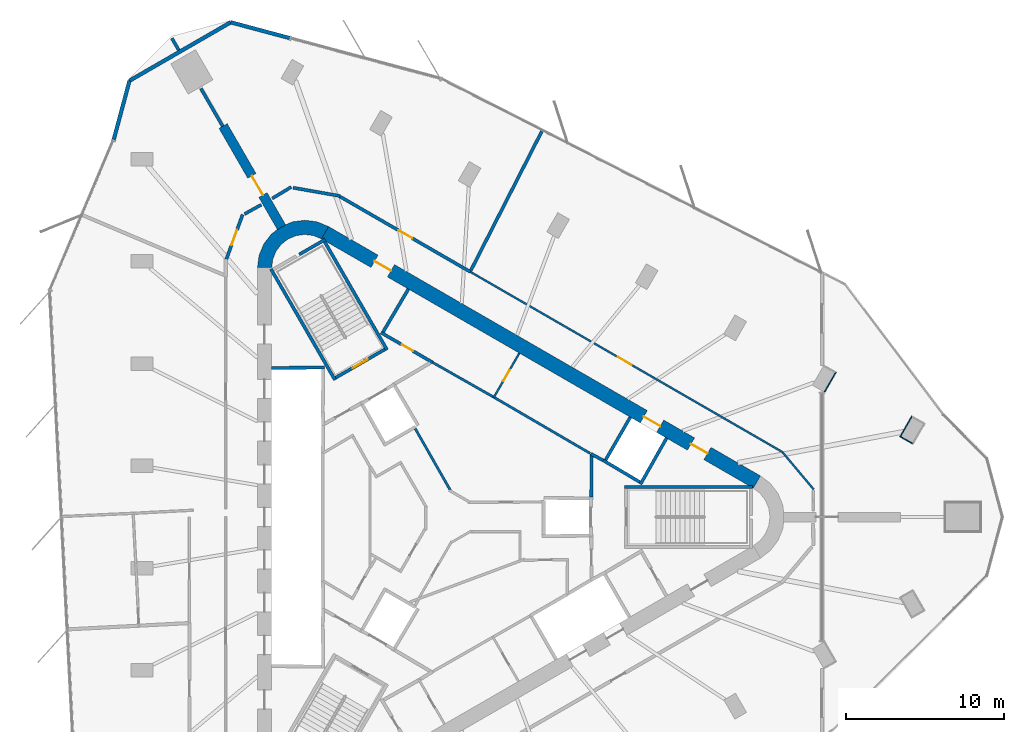
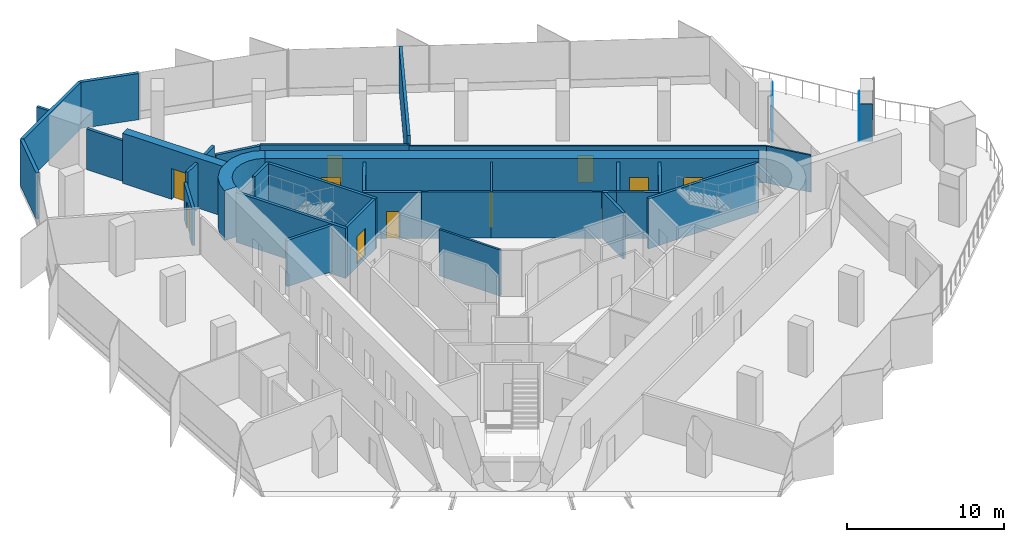
# One storey, part 10 of 12: 36 walls, 10 doors, 10 openings.
"""IFC4 building model written with IfcOpenShell, lengths in metres."""

from ifc_helpers import new_model, si_unit, direction, frame, frame_2d, origin, place, context, subcontext, project, spatial, polyline, rectangle, outline, extrude, material, layer, layer_set, type_object, element, fill, save


model = new_model("IFC4")

# Units and contexts
model_context = context("Model", 3, precision=1e-05, world=origin(), true_north=direction((0.0, 1.0)))
body_context = subcontext(model_context, "Body", "Model", "MODEL_VIEW")
ifc_project = project(units=[si_unit("LENGTHUNIT", "METRE"), si_unit("AREAUNIT", "SQUARE_METRE"), si_unit("VOLUMEUNIT", "CUBIC_METRE"), si_unit("PLANEANGLEUNIT", "RADIAN"), si_unit("MASSUNIT", "GRAM", prefix="KILO")], contexts=[model_context])

# Site, building, storey
site_placement = place(None, origin())
site = spatial("IfcSite", under=ifc_project, at=site_placement, CompositionType="ELEMENT")
building_placement = place(site_placement, origin())
building = spatial("IfcBuilding", under=site, at=building_placement, Name="Tanit Gate Tower", CompositionType="ELEMENT")
storey_placement = place(building_placement, frame((0.0, 0.0, 361.10009765625)))
storey = spatial("IfcBuildingStorey", under=building, at=storey_placement, Name="L82", CompositionType="ELEMENT", Elevation=361.10009765625)

# Wall, opening, door
ifc_material_1 = material(Name="Concrete C40/50", Category="concrete")
ifc_layer_1 = layer(ifc_material_1, 0.60009765625)
ifc_layer_set_1 = layer_set([ifc_layer_1], Name="BUTTRESS FIN 600 C40/50")
wall_type_1 = type_object("IfcWallType", Name="BUTTRESS FIN 600 C40/50", PredefinedType="SHEAR", material=ifc_layer_set_1)
wall_1_placement = place(storey_placement, frame((-10.574951171875, 18.31640625, 0.0), z_axis=(0.0, 0.0, 1.0), x_axis=(-0.500009454961, 0.866019944892, 0.0)))
wall_1 = element("IfcWall", 1, at=wall_1_placement, inside=storey, type_object=wall_type_1, Name="BUTTRESS FIN", PredefinedType="SHEAR", context=body_context, shape_type="SweptSolid", body=[
    extrude(rectangle(XDim=7.387939453125, YDim=0.60009765625, at=frame_2d((3.69384765625, 0.0))), origin(), (0.0, 0.0, 1.0), 3.89990234375),
])
opening_1_placement = place(wall_1_placement, frame((2.35009765625, 0.0, 0.0)))
opening_1 = element("IfcOpeningElement", 2, at=opening_1_placement, cuts=wall_1, Name="Opening P14-82-F-NW-1", PredefinedType="OPENING", context=body_context, shape_type="SweptSolid", body=[
    extrude(rectangle(XDim=1.39990234375, YDim=2.39990234375, at=frame_2d((0.699951171875, 1.199951171875))), frame((0.0, 0.31005859375, 0.0), z_axis=(0.0, -1.0, 0.0), x_axis=(1.0, 0.0, 0.0)), (0.0, 0.0, 1.0), 0.6201171875),
])
ifc_material_2 = material(Name="Timber door leaf", Category="wood")
door_type_1 = type_object("IfcDoorType", Name="INT-DOOR-FIN-PAIR-1400", OperationType="NOTDEFINED", PredefinedType="NOTDEFINED", material=ifc_material_2)
door_1_placement = place(opening_1_placement, origin())
door_1 = element("IfcDoor", 3, at=door_1_placement, inside=storey, type_object=door_type_1, Name="Door P14-82-F-NW-1", OperationType="DOUBLE_DOOR_SINGLE_SWING", OverallHeight=2.39990234375, OverallWidth=1.39990234375, PredefinedType="NOTDEFINED", context=body_context, shape_type="SweptSolid", body=[
    extrude(rectangle(XDim=1.39990234375, YDim=2.39990234375, at=frame_2d((0.699951171875, 1.199951171875))), frame((0.0, 0.02490234375, 0.0), z_axis=(0.0, -1.0, 0.0), x_axis=(1.0, 0.0, 0.0)), (0.0, 0.0, 1.0), 0.050048828125),
])
fill(opening_1, door_1)

# Wall, openings, doors
ifc_material_3 = material(Name="Concrete C40/50", Category="concrete")
ifc_layer_2 = layer(ifc_material_3, 0.89990234375)
ifc_layer_set_2 = layer_set([ifc_layer_2], Name="CORE WALL 900 C40/50")
wall_type_2 = type_object("IfcWallType", Name="CORE WALL 900 C40/50", PredefinedType="SHEAR", material=ifc_layer_set_2)
wall_2_placement = place(storey_placement, frame((19.47509765625, 2.20849609375, 0.0), z_axis=(0.0, 0.0, 1.0), x_axis=(-0.866028369851, 0.499994862586, 0.0)))
wall_2 = element("IfcWall", 4, at=wall_2_placement, inside=storey, type_object=wall_type_2, Name="CORE WALL", PredefinedType="SHEAR", context=body_context, shape_type="SweptSolid", body=[
    extrude(rectangle(XDim=31.523193359375, YDim=0.89990234375, at=frame_2d((15.76171875, 0.0))), origin(), (0.0, 0.0, 1.0), 3.89990234375),
])
opening_2_placement = place(wall_2_placement, frame((7.0615234375, 0.0, 0.0)))
opening_2 = element("IfcOpeningElement", 5, at=opening_2_placement, cuts=wall_2, Name="Opening LDHL8-82", PredefinedType="OPENING", context=body_context, shape_type="SweptSolid", body=[
    extrude(rectangle(XDim=1.199951171875, YDim=2.39990234375, at=frame_2d((0.60009765625, 1.199951171875))), frame((0.0, 0.4599609375, 0.0), z_axis=(0.0, -1.0, 0.0), x_axis=(1.0, 0.0, 0.0)), (0.0, 0.0, 1.0), 0.919921875),
])
opening_3_placement = place(wall_2_placement, frame((3.611572265625, 0.0, 0.0)))
opening_3 = element("IfcOpeningElement", 6, at=opening_3_placement, cuts=wall_2, Name="Opening F12-82-FL1", PredefinedType="OPENING", context=body_context, shape_type="SweptSolid", body=[
    extrude(rectangle(XDim=1.199951171875, YDim=2.39990234375, at=frame_2d((0.60009765625, 1.199951171875))), frame((0.0, 0.4599609375, 0.0), z_axis=(0.0, -1.0, 0.0), x_axis=(1.0, 0.0, 0.0)), (0.0, 0.0, 1.0), 0.919921875),
])
opening_4_placement = place(wall_2_placement, frame((26.711669921875, 0.0, 0.0)))
opening_4 = element("IfcOpeningElement", 7, at=opening_4_placement, cuts=wall_2, Name="Opening F12-82-S2", PredefinedType="OPENING", context=body_context, shape_type="SweptSolid", body=[
    extrude(rectangle(XDim=1.199951171875, YDim=2.39990234375, at=frame_2d((0.60009765625, 1.199951171875))), frame((0.0, 0.4599609375, 0.0), z_axis=(0.0, -1.0, 0.0), x_axis=(1.0, 0.0, 0.0)), (0.0, 0.0, 1.0), 0.919921875),
])
ifc_material_4 = material(Name="Fire-rated steel door leaf", Category="steel")
door_type_2 = type_object("IfcDoorType", Name="INT-DOOR-FIRE-LOBBY-1200", OperationType="NOTDEFINED", PredefinedType="USERDEFINED", material=ifc_material_4)
door_2_placement = place(opening_3_placement, origin())
door_2 = element("IfcDoor", 8, at=door_2_placement, inside=storey, type_object=door_type_2, Name="Door F12-82-FL1", ObjectType="FIRE DOOR", OperationType="SINGLE_SWING_RIGHT", OverallHeight=2.39990234375, OverallWidth=1.199951171875, PredefinedType="USERDEFINED", context=body_context, shape_type="SweptSolid", body=[
    extrude(rectangle(XDim=1.199951171875, YDim=2.39990234375, at=frame_2d((0.60009765625, 1.199951171875))), frame((0.0, 0.02490234375, 0.0), z_axis=(0.0, -1.0, 0.0), x_axis=(1.0, 0.0, 0.0)), (0.0, 0.0, 1.0), 0.050048828125),
])
fill(opening_3, door_2)
door_3_placement = place(opening_4_placement, origin())
door_3 = element("IfcDoor", 9, at=door_3_placement, inside=storey, type_object=door_type_2, Name="Door F12-82-S2", ObjectType="FIRE DOOR", OperationType="SINGLE_SWING_LEFT", OverallHeight=2.39990234375, OverallWidth=1.199951171875, PredefinedType="USERDEFINED", context=body_context, shape_type="SweptSolid", body=[
    extrude(rectangle(XDim=1.199951171875, YDim=2.39990234375, at=frame_2d((0.60009765625, 1.199951171875))), frame((0.0, 0.02490234375, 0.0), z_axis=(0.0, -1.0, 0.0), x_axis=(1.0, 0.0, 0.0)), (0.0, 0.0, 1.0), 0.050048828125),
])
fill(opening_4, door_3)
ifc_material_5 = material(Name="Stainless steel sliding door leaf", Category="steel")
door_type_3 = type_object("IfcDoorType", Name="INT-DOOR-LANDING-1200", OperationType="NOTDEFINED", PredefinedType="USERDEFINED", material=ifc_material_5)
door_4_placement = place(opening_2_placement, origin())
door_4 = element("IfcDoor", 10, at=door_4_placement, inside=storey, type_object=door_type_3, Name="Door LDHL8-82", ObjectType="LANDING DOOR", OperationType="SLIDING_TO_LEFT", OverallHeight=2.39990234375, OverallWidth=1.199951171875, PredefinedType="USERDEFINED", context=body_context, shape_type="SweptSolid", body=[
    extrude(rectangle(XDim=1.199951171875, YDim=2.39990234375, at=frame_2d((0.60009765625, 1.199951171875))), frame((0.0, 0.02490234375, 0.0), z_axis=(0.0, -1.0, 0.0), x_axis=(1.0, 0.0, 0.0)), (0.0, 0.0, 1.0), 0.050048828125),
])
fill(opening_2, door_4)

# Walls
wall_3_placement = place(storey_placement, origin())
element("IfcWall", 11, at=wall_3_placement, inside=storey, type_object=wall_type_2, Name="CORE WALL CORNER", PredefinedType="SHEAR", context=body_context, shape_type="SweptSolid", body=[
    extrude(outline(polyline([(-7.60009765625, 18.359619140625), (-8.323486328125, 18.659423828125), (-9.10009765625, 18.76171875), (-9.87646484375, 18.659423828125), (-10.60009765625, 18.359619140625), (-11.22119140625, 17.883056640625), (-11.697998046875, 17.26171875), (-11.997802734375, 16.5380859375), (-12.10009765625, 15.76171875), (-11.199951171875, 15.76171875), (-11.12841796875, 16.30517578125), (-10.918701171875, 16.811767578125), (-10.5849609375, 17.24658203125), (-10.14990234375, 17.580322265625), (-9.6435546875, 17.7900390625), (-9.10009765625, 17.86181640625), (-8.556396484375, 17.7900390625), (-8.050048828125, 17.580322265625), (-7.60009765625, 18.359619140625)])), origin(), (0.0, 0.0, 1.0), 3.89990234375),
])
ifc_material_6 = material(Name="Bronze anodised aluminium cladding", Category="aluminium")
ifc_layer_3 = layer(ifc_material_6, 0.06005859375)
ifc_layer_set_3 = layer_set([ifc_layer_3], Name="Column casing bronze 60")
wall_type_3 = type_object("IfcWallType", Name="Column casing bronze 60", PredefinedType="SOLIDWALL", material=ifc_layer_set_3)
wall_4_placement = place(storey_placement, frame((28.521484375, 5.0634765625, 0.0), z_axis=(0.0, 0.0, 1.0), x_axis=(0.499991248344, 0.866030456496, 0.0)))
element("IfcWall", 12, at=wall_4_placement, inside=storey, type_object=wall_type_3, Name="Column casing L82 P-NE1.L1", PredefinedType="SOLIDWALL", context=body_context, shape_type="SweptSolid", body=[
    extrude(rectangle(XDim=1.52001953125, YDim=0.06005859375, at=frame_2d((0.760009765625, 0.0))), origin(), (0.0, 0.0, 1.0), 2.909912109375),
])
wall_5_placement = place(storey_placement, frame((29.298583984375, 4.6494140625, 0.0), z_axis=(0.0, 0.0, 1.0), x_axis=(-0.865989465428, 0.500062241894, 0.0)))
element("IfcWall", 13, at=wall_5_placement, inside=storey, type_object=wall_type_3, Name="Column casing L82 P-NE1.S2", PredefinedType="SOLIDWALL", context=body_context, shape_type="SweptSolid", body=[
    extrude(rectangle(XDim=0.85009765625, YDim=0.06005859375, at=frame_2d((0.425048828125, 0.0))), origin(), (0.0, 0.0, 1.0), 2.909912109375),
])
wall_6_placement = place(storey_placement, frame((23.711669921875, 7.84033203125, 0.0), z_axis=(0.0, 0.0, 1.0), x_axis=(0.499991248344, 0.866030456496, 0.0)))
element("IfcWall", 14, at=wall_6_placement, inside=storey, type_object=wall_type_3, Name="Column casing L82 P-NE2.L2", PredefinedType="SOLIDWALL", context=body_context, shape_type="SweptSolid", body=[
    extrude(rectangle(XDim=1.52001953125, YDim=0.06005859375, at=frame_2d((0.760009765625, 0.0))), origin(), (0.0, 0.0, 1.0), 3.599853515625),
])
ifc_material_7 = material(Name="Concrete C30/37 with bronze anodised aluminium cladding", Category="concrete")
ifc_layer_4 = layer(ifc_material_7, 0.239990234375)
ifc_layer_set_4 = layer_set([ifc_layer_4], Name="Facade wall bronze clad 240")
wall_type_4 = type_object("IfcWallType", Name="Facade wall bronze clad 240", PredefinedType="SOLIDWALL", material=ifc_layer_set_4)
wall_7_placement = place(storey_placement, frame((-10.056640625, 30.274169921875, 0.0), z_axis=(0.0, 0.0, 1.0), x_axis=(-0.965920386927, 0.258839344225, 0.0)))
element("IfcWall", 15, at=wall_7_placement, inside=storey, type_object=wall_type_4, Name="Bronze-clad facade wall L82 NW.arc1", PredefinedType="SOLIDWALL", context=body_context, shape_type="SweptSolid", body=[
    extrude(rectangle(XDim=3.860595703125, YDim=0.239990234375, at=frame_2d((1.93017578125, 0.0))), origin(), (0.0, 0.0, 1.0), 3.599853515625),
])
wall_8_placement = place(storey_placement, frame((-13.78564453125, 31.2734375, 0.0), z_axis=(0.0, 0.0, 1.0), x_axis=(-0.866022320763, -0.500005339912, 0.0)))
element("IfcWall", 16, at=wall_8_placement, inside=storey, type_object=wall_type_4, Name="Bronze-clad facade wall L82 NW.arc2", PredefinedType="SOLIDWALL", context=body_context, shape_type="SweptSolid", body=[
    extrude(rectangle(XDim=7.39599609375, YDim=0.239990234375, at=frame_2d((3.697998046875, 0.0))), origin(), (0.0, 0.0, 1.0), 3.599853515625),
])
wall_9_placement = place(storey_placement, frame((-20.190673828125, 27.575439453125, 0.0), z_axis=(0.0, 0.0, 1.0), x_axis=(-0.258848583704, -0.965917910961, 0.0)))
element("IfcWall", 17, at=wall_9_placement, inside=storey, type_object=wall_type_4, Name="Bronze-clad facade wall L82 NW.arc3", PredefinedType="SOLIDWALL", context=body_context, shape_type="SweptSolid", body=[
    extrude(rectangle(XDim=3.868896484375, YDim=0.239990234375, at=frame_2d((1.9345703125, 0.0))), origin(), (0.0, 0.0, 1.0), 3.599853515625),
])
ifc_material_8 = material(Name="Fire-rated gypsum board partition")
ifc_layer_5 = layer(ifc_material_8, 0.199951171875)
ifc_layer_set_5 = layer_set([ifc_layer_5], Name="INT-WALL-COMPARTMENT")
wall_type_5 = type_object("IfcWallType", Name="INT-WALL-COMPARTMENT", PredefinedType="PARTITIONING", material=ifc_layer_set_5)
wall_10_placement = place(storey_placement, frame((8.97412109375, 3.998779296875, 0.0), z_axis=(0.0, 0.0, 1.0), x_axis=(0.880917147855, -0.473270513147, 0.0)))
element("IfcWall", 18, at=wall_10_placement, inside=storey, type_object=wall_type_5, Name="Wall Compartment W048", PredefinedType="PARTITIONING", context=body_context, shape_type="SweptSolid", body=[
    extrude(rectangle(XDim=0.8779296875, YDim=0.199951171875, at=frame_2d((0.43896484375, 0.0))), origin(), (0.0, 0.0, 1.0), 3.599853515625),
])

# Wall, opening, door
wall_11_placement = place(storey_placement, frame((-4.295654296875, 11.659912109375, 0.0), z_axis=(0.0, 0.0, 1.0), x_axis=(0.866027389382, -0.499996560828, 0.0)))
wall_11 = element("IfcWall", 19, at=wall_11_placement, inside=storey, type_object=wall_type_5, Name="Wall Compartment W050", PredefinedType="PARTITIONING", context=body_context, shape_type="SweptSolid", body=[
    extrude(rectangle(XDim=3.77783203125, YDim=0.199951171875, at=frame_2d((1.888916015625, 0.0))), origin(), (0.0, 0.0, 1.0), 3.599853515625),
])
opening_5_placement = place(wall_11_placement, frame((1.538818359375, 0.0, 0.0)))
opening_5 = element("IfcOpeningElement", 20, at=opening_5_placement, cuts=wall_11, Name="Opening R08-82-16", PredefinedType="OPENING", context=body_context, shape_type="SweptSolid", body=[
    extrude(rectangle(XDim=0.800048828125, YDim=2.10009765625, at=frame_2d((0.39990234375, 1.050048828125))), frame((0.0, 0.10986328125, 0.0), z_axis=(0.0, -1.0, 0.0), x_axis=(1.0, 0.0, 0.0)), (0.0, 0.0, 1.0), 0.219970703125),
])
ifc_material_9 = material(Name="Timber door leaf", Category="wood")
door_type_4 = type_object("IfcDoorType", Name="INT-DOOR-RISER-800", OperationType="NOTDEFINED", PredefinedType="USERDEFINED", material=ifc_material_9)
door_5_placement = place(opening_5_placement, origin())
door_5 = element("IfcDoor", 21, at=door_5_placement, inside=storey, type_object=door_type_4, Name="Door R08-82-16", ObjectType="FIRE DOOR", OperationType="SINGLE_SWING_LEFT", OverallHeight=2.10009765625, OverallWidth=0.800048828125, PredefinedType="USERDEFINED", context=body_context, shape_type="SweptSolid", body=[
    extrude(rectangle(XDim=0.800048828125, YDim=2.10009765625, at=frame_2d((0.39990234375, 1.050048828125))), frame((0.0, 0.02490234375, 0.0), z_axis=(0.0, -1.0, 0.0), x_axis=(1.0, 0.0, 0.0)), (0.0, 0.0, 1.0), 0.050048828125),
])
fill(opening_5, door_5)

# Walls
wall_12_placement = place(storey_placement, frame((-2.557861328125, 14.409423828125, 0.0), z_axis=(0.0, 0.0, 1.0), x_axis=(-0.508018930956, -0.861345903683, 0.0)))
element("IfcWall", 22, at=wall_12_placement, inside=storey, type_object=wall_type_5, Name="Wall Compartment W051", PredefinedType="PARTITIONING", context=body_context, shape_type="SweptSolid", body=[
    extrude(rectangle(XDim=3.150146484375, YDim=0.199951171875, at=frame_2d((1.5751953125, 0.0))), origin(), (0.0, 0.0, 1.0), 3.599853515625),
])
wall_13_placement = place(storey_placement, frame((9.0009765625, 1.27001953125, 0.0), z_axis=(0.0, 0.0, 1.0), x_axis=(0.010747252091, 0.999942246619, 0.0)))
element("IfcWall", 23, at=wall_13_placement, inside=storey, type_object=wall_type_5, Name="Wall Compartment W062", PredefinedType="PARTITIONING", context=body_context, shape_type="SweptSolid", body=[
    extrude(rectangle(XDim=2.72607421875, YDim=0.199951171875, at=frame_2d((1.363037109375, 0.0))), origin(), (0.0, 0.0, 1.0), 3.599853515625),
])

# Wall, opening, door
wall_14_placement = place(storey_placement, frame((-13.037841796875, 19.11181640625, 0.0), z_axis=(0.0, 0.0, 1.0), x_axis=(-0.342062629946, -0.939677155833, 0.0)))
wall_14 = element("IfcWall", 24, at=wall_14_placement, inside=storey, type_object=wall_type_5, Name="Wall Compartment W093", PredefinedType="PARTITIONING", context=body_context, shape_type="SweptSolid", body=[
    extrude(rectangle(XDim=3.005615234375, YDim=0.199951171875, at=frame_2d((1.5029296875, 0.0))), origin(), (0.0, 0.0, 1.0), 2.8798828125),
])
opening_6_placement = place(wall_14_placement, frame((1.037353515625, 0.0, 0.0)))
opening_6 = element("IfcOpeningElement", 25, at=opening_6_placement, cuts=wall_14, Name="Opening F10-82-21", PredefinedType="OPENING", context=body_context, shape_type="SweptSolid", body=[
    extrude(rectangle(XDim=1.0, YDim=2.10009765625, at=frame_2d((0.5, 1.050048828125))), frame((0.0, 0.10986328125, 0.0), z_axis=(0.0, -1.0, 0.0), x_axis=(1.0, 0.0, 0.0)), (0.0, 0.0, 1.0), 0.219970703125),
])
ifc_material_10 = material(Name="Fire-rated steel door leaf", Category="steel")
door_type_5 = type_object("IfcDoorType", Name="INT-DOOR-FIRE-1000", OperationType="NOTDEFINED", PredefinedType="USERDEFINED", material=ifc_material_10)
door_6_placement = place(opening_6_placement, origin())
door_6 = element("IfcDoor", 26, at=door_6_placement, inside=storey, type_object=door_type_5, Name="Door F10-82-21", ObjectType="FIRE DOOR", OperationType="SINGLE_SWING_RIGHT", OverallHeight=2.10009765625, OverallWidth=1.0, PredefinedType="USERDEFINED", context=body_context, shape_type="SweptSolid", body=[
    extrude(rectangle(XDim=1.0, YDim=2.10009765625, at=frame_2d((0.5, 1.050048828125))), frame((0.0, 0.02490234375, 0.0), z_axis=(0.0, -1.0, 0.0), x_axis=(1.0, 0.0, 0.0)), (0.0, 0.0, 1.0), 0.050048828125),
])
fill(opening_6, door_6)

# Walls
wall_15_placement = place(storey_placement, frame((-11.85791015625, 19.738525390625, 0.0), z_axis=(0.0, 0.0, 1.0), x_axis=(-0.874375812865, -0.48524935639, 0.0)))
element("IfcWall", 27, at=wall_15_placement, inside=storey, type_object=wall_type_5, Name="Wall Compartment W094", PredefinedType="PARTITIONING", context=body_context, shape_type="SweptSolid", body=[
    extrude(rectangle(XDim=1.21142578125, YDim=0.199951171875, at=frame_2d((0.605712890625, 0.0))), origin(), (0.0, 0.0, 1.0), 3.599853515625),
])
wall_16_placement = place(storey_placement, frame((-17.505615234375, 30.260498046875, 0.0), z_axis=(0.0, 0.0, 1.0), x_axis=(0.500065409566, -0.86598763626, 0.0)))
element("IfcWall", 28, at=wall_16_placement, inside=storey, type_object=wall_type_5, Name="Wall Compartment W103", PredefinedType="PARTITIONING", context=body_context, shape_type="SweptSolid", body=[
    extrude(rectangle(XDim=0.86279296875, YDim=0.199951171875, at=frame_2d((0.431396484375, 0.0))), origin(), (0.0, 0.0, 1.0), 3.599853515625),
])
wall_17_placement = place(storey_placement, frame((-15.671630859375, 27.084228515625, 0.0), z_axis=(0.0, 0.0, 1.0), x_axis=(0.49996293259, -0.866046803606, 0.0)))
element("IfcWall", 29, at=wall_17_placement, inside=storey, type_object=wall_type_5, Name="Wall Compartment W104", PredefinedType="PARTITIONING", context=body_context, shape_type="SweptSolid", body=[
    extrude(rectangle(XDim=2.753662109375, YDim=0.199951171875, at=frame_2d((1.376953125, 0.0))), origin(), (0.0, 0.0, 1.0), 3.169921875),
])
wall_18_placement = place(storey_placement, frame((-9.963623046875, 20.85986328125, 0.0), z_axis=(0.0, 0.0, 1.0), x_axis=(-0.857308408435, -0.514803159302, 0.0)))
element("IfcWall", 30, at=wall_18_placement, inside=storey, type_object=wall_type_5, Name="Wall Compartment W115", PredefinedType="PARTITIONING", context=body_context, shape_type="SweptSolid", body=[
    extrude(rectangle(XDim=1.4013671875, YDim=0.199951171875, at=frame_2d((0.70068359375, 0.0))), origin(), (0.0, 0.0, 1.0), 3.599853515625),
])
wall_19_placement = place(storey_placement, frame((-6.875732421875, 20.29052734375, 0.0), z_axis=(0.0, 0.0, 1.0), x_axis=(-0.984819400126, 0.173582110644, 0.0)))
element("IfcWall", 31, at=wall_19_placement, inside=storey, type_object=wall_type_5, Name="Wall Compartment W116", PredefinedType="PARTITIONING", context=body_context, shape_type="SweptSolid", body=[
    extrude(rectangle(XDim=3.015625, YDim=0.199951171875, at=frame_2d((1.5078125, 0.0))), origin(), (0.0, 0.0, 1.0), 2.8798828125),
])

# Wall, opening, door
wall_20_placement = place(storey_placement, frame((1.367431640625, 15.49169921875, 0.0), z_axis=(0.0, 0.0, 1.0), x_axis=(-0.866018386667, 0.500012153807, 0.0)))
wall_20 = element("IfcWall", 32, at=wall_20_placement, inside=storey, type_object=wall_type_5, Name="Wall Compartment W117", PredefinedType="PARTITIONING", context=body_context, shape_type="SweptSolid", body=[
    extrude(rectangle(XDim=9.531982421875, YDim=0.199951171875, at=frame_2d((4.76611328125, 0.0))), origin(), (0.0, 0.0, 1.0), 2.969970703125),
])
opening_7_placement = place(wall_20_placement, frame((4.254150390625, 0.0, 0.0)))
opening_7 = element("IfcOpeningElement", 33, at=opening_7_placement, cuts=wall_20, Name="Opening F10-82-26", PredefinedType="OPENING", context=body_context, shape_type="SweptSolid", body=[
    extrude(rectangle(XDim=1.0, YDim=2.10009765625, at=frame_2d((0.5, 1.050048828125))), frame((0.0, 0.10986328125, 0.0), z_axis=(0.0, -1.0, 0.0), x_axis=(1.0, 0.0, 0.0)), (0.0, 0.0, 1.0), 0.219970703125),
])
door_7_placement = place(opening_7_placement, origin())
door_7 = element("IfcDoor", 34, at=door_7_placement, inside=storey, type_object=door_type_5, Name="Door F10-82-26", ObjectType="FIRE DOOR", OperationType="SINGLE_SWING_RIGHT", OverallHeight=2.10009765625, OverallWidth=1.0, PredefinedType="USERDEFINED", context=body_context, shape_type="SweptSolid", body=[
    extrude(rectangle(XDim=1.0, YDim=2.10009765625, at=frame_2d((0.5, 1.050048828125))), frame((0.0, 0.02490234375, 0.0), z_axis=(0.0, -1.0, 0.0), x_axis=(1.0, 0.0, 0.0)), (0.0, 0.0, 1.0), 0.050048828125),
])
fill(opening_7, door_7)

# Wall
wall_21_placement = place(storey_placement, frame((5.90576171875, 24.43798828125, 0.0), z_axis=(0.0, 0.0, 1.0), x_axis=(-0.454427517445, -0.890783717514, 0.0)))
element("IfcWall", 35, at=wall_21_placement, inside=storey, type_object=wall_type_5, Name="Wall Compartment W118", PredefinedType="PARTITIONING", context=body_context, shape_type="SweptSolid", body=[
    extrude(rectangle(XDim=9.97021484375, YDim=0.199951171875, at=frame_2d((4.985107421875, 0.0))), origin(), (0.0, 0.0, 1.0), 3.599853515625),
])

# Wall, opening, door
ifc_material_11 = material(Name="Gypsum board partition")
ifc_layer_6 = layer(ifc_material_11, 0.1201171875)
ifc_layer_set_6 = layer_set([ifc_layer_6], Name="INT-WALL-PARTITION")
wall_type_6 = type_object("IfcWallType", Name="INT-WALL-PARTITION", PredefinedType="PARTITIONING", material=ifc_layer_set_6)
wall_22_placement = place(storey_placement, frame((4.456787109375, 10.359375, 0.0), z_axis=(0.0, 0.0, 1.0), x_axis=(-0.500017246033, -0.866015446554, 0.0)))
wall_22 = element("IfcWall", 36, at=wall_22_placement, inside=storey, type_object=wall_type_6, Name="Wall Partition W047", PredefinedType="PARTITIONING", context=body_context, shape_type="SweptSolid", body=[
    extrude(rectangle(XDim=3.25, YDim=0.1201171875, at=frame_2d((1.625, 0.0))), origin(), (0.0, 0.0, 1.0), 3.599853515625),
])
opening_8_placement = place(wall_22_placement, frame((1.22509765625, 0.0, 0.0)))
opening_8 = element("IfcOpeningElement", 37, at=opening_8_placement, cuts=wall_22, Name="Opening R08-82-15", PredefinedType="OPENING", context=body_context, shape_type="SweptSolid", body=[
    extrude(rectangle(XDim=0.800048828125, YDim=2.10009765625, at=frame_2d((0.39990234375, 1.050048828125))), frame((0.0, 0.070068359375, 0.0), z_axis=(0.0, -1.0, 0.0), x_axis=(1.0, 0.0, 0.0)), (0.0, 0.0, 1.0), 0.14013671875),
])
door_8_placement = place(opening_8_placement, origin())
door_8 = element("IfcDoor", 38, at=door_8_placement, inside=storey, type_object=door_type_4, Name="Door R08-82-15", ObjectType="FIRE DOOR", OperationType="SINGLE_SWING_LEFT", OverallHeight=2.10009765625, OverallWidth=0.800048828125, PredefinedType="USERDEFINED", context=body_context, shape_type="SweptSolid", body=[
    extrude(rectangle(XDim=0.800048828125, YDim=2.10009765625, at=frame_2d((0.39990234375, 1.050048828125))), frame((0.0, 0.02490234375, 0.0), z_axis=(0.0, -1.0, 0.0), x_axis=(1.0, 0.0, 0.0)), (0.0, 0.0, 1.0), 0.050048828125),
])
fill(opening_8, door_8)

wall_23_placement = place(storey_placement, frame((21.1259765625, 4.084228515625, 0.0), z_axis=(0.0, 0.0, 1.0), x_axis=(-0.866027881057, 0.499995709214, 0.0)))
wall_23 = element("IfcWall", 39, at=wall_23_placement, inside=storey, type_object=wall_type_6, Name="Wall Partition W112", PredefinedType="PARTITIONING", context=body_context, shape_type="SweptSolid", body=[
    extrude(rectangle(XDim=22.815185546875, YDim=0.1201171875, at=frame_2d((11.40771484375, 0.0))), origin(), (0.0, 0.0, 1.0), 2.8798828125),
])
opening_9_placement = place(wall_23_placement, frame((11.06005859375, 0.0, 0.0)))
opening_9 = element("IfcOpeningElement", 40, at=opening_9_placement, cuts=wall_23, Name="Opening D10-82-25", PredefinedType="OPENING", context=body_context, shape_type="SweptSolid", body=[
    extrude(rectangle(XDim=1.0, YDim=2.10009765625, at=frame_2d((0.5, 1.050048828125))), frame((0.0, 0.070068359375, 0.0), z_axis=(0.0, -1.0, 0.0), x_axis=(1.0, 0.0, 0.0)), (0.0, 0.0, 1.0), 0.14013671875),
])
ifc_material_12 = material(Name="Timber door leaf", Category="wood")
door_type_6 = type_object("IfcDoorType", Name="INT-DOOR-SINGLE-1000", OperationType="NOTDEFINED", PredefinedType="NOTDEFINED", material=ifc_material_12)
door_9_placement = place(opening_9_placement, origin())
door_9 = element("IfcDoor", 41, at=door_9_placement, inside=storey, type_object=door_type_6, Name="Door D10-82-25", OperationType="SINGLE_SWING_RIGHT", OverallHeight=2.10009765625, OverallWidth=1.0, PredefinedType="NOTDEFINED", context=body_context, shape_type="SweptSolid", body=[
    extrude(rectangle(XDim=1.0, YDim=2.10009765625, at=frame_2d((0.5, 1.050048828125))), frame((0.0, 0.02490234375, 0.0), z_axis=(0.0, -1.0, 0.0), x_axis=(1.0, 0.0, 0.0)), (0.0, 0.0, 1.0), 0.050048828125),
])
fill(opening_9, door_9)

# Walls
wall_24_placement = place(storey_placement, frame((23.060546875, 1.746826171875, 0.0), z_axis=(0.0, 0.0, 1.0), x_axis=(-0.642780078291, 0.766050762647, 0.0)))
element("IfcWall", 42, at=wall_24_placement, inside=storey, type_object=wall_type_6, Name="Wall Partition W113", PredefinedType="PARTITIONING", context=body_context, shape_type="SweptSolid", body=[
    extrude(rectangle(XDim=3.0302734375, YDim=0.1201171875, at=frame_2d((1.51513671875, 0.0))), origin(), (0.0, 0.0, 1.0), 2.8798828125),
])
ifc_material_13 = material(Name="Fire-rated gypsum board partition")
ifc_layer_7 = layer(ifc_material_13, 0.14990234375)
ifc_layer_set_7 = layer_set([ifc_layer_7], Name="INT-WALL-RISER")
wall_type_7 = type_object("IfcWallType", Name="INT-WALL-RISER", PredefinedType="PLUMBINGWALL", material=ifc_layer_set_7)
wall_25_placement = place(storey_placement, frame((8.9306640625, 4.0244140625, 0.0), z_axis=(0.0, 0.0, 1.0), x_axis=(-0.863936620311, 0.50360055211, 0.0)))
element("IfcWall", 43, at=wall_25_placement, inside=storey, type_object=wall_type_7, Name="Wall Riser W049", PredefinedType="PLUMBINGWALL", context=body_context, shape_type="SweptSolid", body=[
    extrude(rectangle(XDim=7.072021484375, YDim=0.14990234375, at=frame_2d((3.5361328125, 0.0))), origin(), (0.0, 0.0, 1.0), 3.599853515625),
])
wall_26_placement = place(storey_placement, frame((2.82080078125, 7.5859375, 0.0), z_axis=(0.0, 0.0, 1.0), x_axis=(-0.869355227283, 0.494187706035, 0.0)))
element("IfcWall", 44, at=wall_26_placement, inside=storey, type_object=wall_type_7, Name="Wall Riser W052", PredefinedType="PLUMBINGWALL", context=body_context, shape_type="SweptSolid", body=[
    extrude(rectangle(XDim=4.422607421875, YDim=0.14990234375, at=frame_2d((2.21142578125, 0.0))), origin(), (0.0, 0.0, 1.0), 3.599853515625),
])
wall_27_placement = place(storey_placement, frame((-2.1240234375, 5.58642578125, 0.0), z_axis=(0.0, 0.0, 1.0), x_axis=(0.494514430604, -0.869169418424, 0.0)))
element("IfcWall", 45, at=wall_27_placement, inside=storey, type_object=wall_type_7, Name="Wall Riser W070", PredefinedType="PLUMBINGWALL", context=body_context, shape_type="SweptSolid", body=[
    extrude(rectangle(XDim=4.5341796875, YDim=0.14990234375, at=frame_2d((2.26708984375, 0.0))), origin(), (0.0, 0.0, 1.0), 3.599853515625),
])
ifc_material_14 = material(Name="Gypsum shaft wall system")
ifc_layer_8 = layer(ifc_material_14, 0.199951171875)
ifc_layer_set_8 = layer_set([ifc_layer_8], Name="INT-WALL-SHAFT")
wall_type_8 = type_object("IfcWallType", Name="INT-WALL-SHAFT", PredefinedType="PLUMBINGWALL", material=ifc_layer_set_8)
wall_28_placement = place(storey_placement, frame((-11.199951171875, 9.419921875, 0.0), z_axis=(0.0, 0.0, 1.0), x_axis=(0.999957167047, 0.009255488683, 0.0)))
element("IfcWall", 46, at=wall_28_placement, inside=storey, type_object=wall_type_8, Name="Wall Shaft W001", PredefinedType="PLUMBINGWALL", context=body_context, shape_type="SweptSolid", body=[
    extrude(rectangle(XDim=3.35009765625, YDim=0.199951171875, at=frame_2d((1.675048828125, 0.0))), origin(), (0.0, 0.0, 1.0), 3.599853515625),
])
wall_29_placement = place(storey_placement, frame((9.8466796875, 3.494873046875, 0.0), z_axis=(0.0, 0.0, 1.0), x_axis=(0.499984717929, 0.866034226713, 0.0)))
element("IfcWall", 47, at=wall_29_placement, inside=storey, type_object=wall_type_8, Name="Wall Shaft W012", PredefinedType="PLUMBINGWALL", context=body_context, shape_type="SweptSolid", body=[
    extrude(rectangle(XDim=3.25, YDim=0.199951171875, at=frame_2d((1.625, 0.0))), origin(), (0.0, 0.0, 1.0), 3.599853515625),
])
wall_30_placement = place(storey_placement, frame((12.10986328125, 2.07275390625, 0.0), z_axis=(0.0, 0.0, 1.0), x_axis=(0.49196600604, 0.870614408852, 0.0)))
element("IfcWall", 48, at=wall_30_placement, inside=storey, type_object=wall_type_8, Name="Wall Shaft W013", PredefinedType="PLUMBINGWALL", context=body_context, shape_type="SweptSolid", body=[
    extrude(rectangle(XDim=3.35009765625, YDim=0.199951171875, at=frame_2d((1.675048828125, 0.0))), origin(), (0.0, 0.0, 1.0), 3.599853515625),
])
wall_31_placement = place(storey_placement, frame((12.072998046875, 2.2109375, 0.0), z_axis=(0.0, 0.0, 1.0), x_axis=(-0.860414880418, 0.509594185166, 0.0)))
element("IfcWall", 49, at=wall_31_placement, inside=storey, type_object=wall_type_8, Name="Wall Shaft W014", PredefinedType="PLUMBINGWALL", context=body_context, shape_type="SweptSolid", body=[
    extrude(rectangle(XDim=2.7001953125, YDim=0.199951171875, at=frame_2d((1.35009765625, 0.0))), origin(), (0.0, 0.0, 1.0), 3.599853515625),
])
ifc_material_15 = material(Name="Concrete C40/50", Category="concrete")
ifc_layer_9 = layer(ifc_material_15, 0.199951171875)
ifc_layer_set_9 = layer_set([ifc_layer_9], Name="INT-WALL-STAIR")
wall_type_9 = type_object("IfcWallType", Name="INT-WALL-STAIR", PredefinedType="SHEAR", material=ifc_layer_set_9)
wall_32_placement = place(storey_placement, frame((19.199951171875, 1.89990234375, -0.300048828125), z_axis=(0.0, 0.0, 1.0), x_axis=(-1.0, 0.0, 0.0)))
element("IfcWall", 50, at=wall_32_placement, inside=storey, type_object=wall_type_9, Name="Wall Stair W020", PredefinedType="SHEAR", context=body_context, shape_type="SweptSolid", body=[
    extrude(rectangle(XDim=8.099853515625, YDim=0.199951171875, at=frame_2d((4.0498046875, 0.0))), origin(), (0.0, 0.0, 1.0), 3.89990234375),
])
wall_33_placement = place(storey_placement, frame((-11.245361328125, 15.677734375, -0.300048828125), z_axis=(0.0, 0.0, 1.0), x_axis=(0.499977274689, -0.866038523851, 0.0)))
element("IfcWall", 51, at=wall_33_placement, inside=storey, type_object=wall_type_9, Name="Wall Stair W029", PredefinedType="SHEAR", context=body_context, shape_type="SweptSolid", body=[
    extrude(rectangle(XDim=8.10009765625, YDim=0.199951171875, at=frame_2d((4.050048828125, 0.0))), origin(), (0.0, 0.0, 1.0), 3.89990234375),
])
wall_34_placement = place(storey_placement, frame((-7.81787109375, 17.541015625, -0.300048828125), z_axis=(0.0, 0.0, 1.0), x_axis=(-0.866088799389, -0.499890179513, 0.0)))
element("IfcWall", 52, at=wall_34_placement, inside=storey, type_object=wall_type_9, Name="Wall Stair W031", PredefinedType="SHEAR", context=body_context, shape_type="SweptSolid", body=[
    extrude(rectangle(XDim=1.89013671875, YDim=0.199951171875, at=frame_2d((0.945068359375, 0.0))), origin(), (0.0, 0.0, 1.0), 3.89990234375),
])
wall_35_placement = place(storey_placement, frame((-7.8544921875, 17.404541015625, -0.300048828125), z_axis=(0.0, 0.0, 1.0), x_axis=(0.499997992926, -0.866026562566, 0.0)))
element("IfcWall", 53, at=wall_35_placement, inside=storey, type_object=wall_type_9, Name="Wall Stair W032", PredefinedType="SHEAR", context=body_context, shape_type="SweptSolid", body=[
    extrude(rectangle(XDim=7.89990234375, YDim=0.199951171875, at=frame_2d((3.949951171875, 0.0))), origin(), (0.0, 0.0, 1.0), 3.89990234375),
])

# Wall, opening, door
wall_36_placement = place(storey_placement, frame((-7.158935546875, 8.799560546875, -0.300048828125), z_axis=(0.0, 0.0, 1.0), x_axis=(0.866047807691, 0.499961193289, 0.0)))
wall_36 = element("IfcWall", 54, at=wall_36_placement, inside=storey, type_object=wall_type_9, Name="Wall Stair W033", PredefinedType="SHEAR", context=body_context, shape_type="SweptSolid", body=[
    extrude(rectangle(XDim=3.599853515625, YDim=0.199951171875, at=frame_2d((1.7998046875, 0.0))), origin(), (0.0, 0.0, 1.0), 3.89990234375),
])
opening_10_placement = place(wall_36_placement, frame((1.25, 0.0, 0.300048828125)))
opening_10 = element("IfcOpeningElement", 55, at=opening_10_placement, cuts=wall_36, Name="Opening S11-82-04", PredefinedType="OPENING", context=body_context, shape_type="SweptSolid", body=[
    extrude(rectangle(XDim=1.10009765625, YDim=2.10009765625, at=frame_2d((0.550048828125, 1.050048828125))), frame((0.0, 0.10986328125, 0.0), z_axis=(0.0, -1.0, 0.0), x_axis=(1.0, 0.0, 0.0)), (0.0, 0.0, 1.0), 0.219970703125),
])
ifc_material_16 = material(Name="Timber door leaf", Category="wood")
door_type_7 = type_object("IfcDoorType", Name="INT-DOOR-STAIR-1100", OperationType="NOTDEFINED", PredefinedType="USERDEFINED", material=ifc_material_16)
door_10_placement = place(opening_10_placement, origin())
door_10 = element("IfcDoor", 56, at=door_10_placement, inside=storey, type_object=door_type_7, Name="Door S11-82-04", ObjectType="FIRE DOOR", OperationType="SINGLE_SWING_LEFT", OverallHeight=2.10009765625, OverallWidth=1.10009765625, PredefinedType="USERDEFINED", context=body_context, shape_type="SweptSolid", body=[
    extrude(rectangle(XDim=1.10009765625, YDim=2.10009765625, at=frame_2d((0.550048828125, 1.050048828125))), frame((0.0, 0.02490234375, 0.0), z_axis=(0.0, -1.0, 0.0), x_axis=(1.0, 0.0, 0.0)), (0.0, 0.0, 1.0), 0.050048828125),
])
fill(opening_10, door_10)

save(model, "model.ifc")
